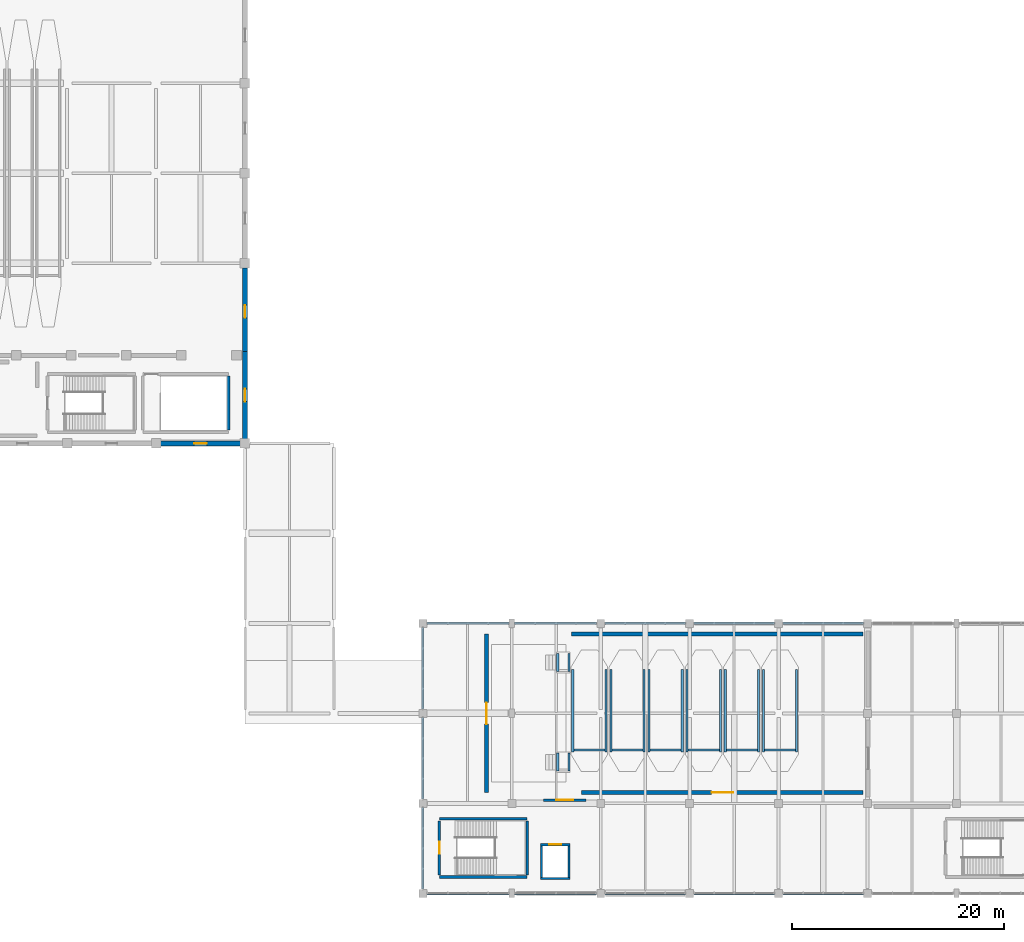
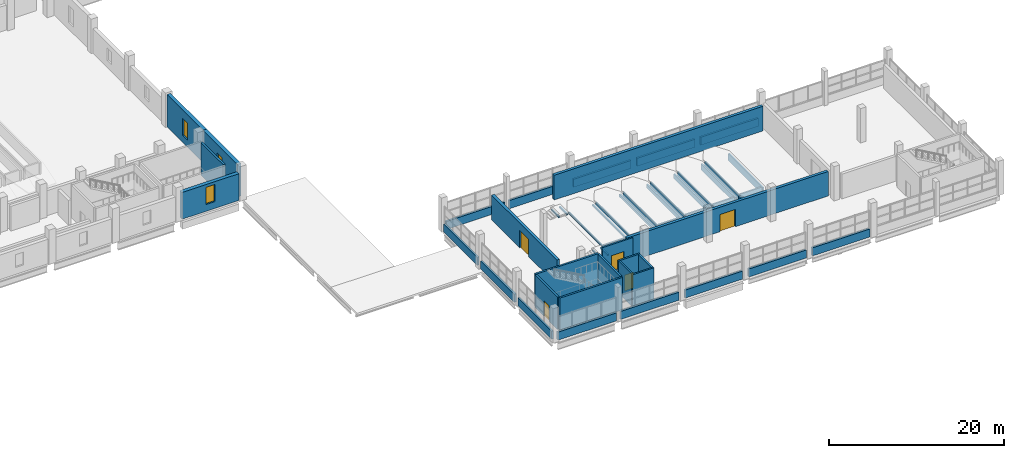
# One storey, part 101 of 117: 51 walls, 5 doors, 3 windows, 8 openings.
"""IFC4 building model written with IfcOpenShell, lengths in metres."""

from ifc_helpers import new_model, si_unit, direction, frame, frame_2d, origin, place, context, subcontext, project, spatial, rectangle, extrude, material, layer, layer_set, type_object, element, fill, save


model = new_model("IFC4")

# Units and contexts
model_context = context("Model", 3, precision=1e-05, world=origin(), true_north=direction((0.0, 1.0)))
body_context = subcontext(model_context, "Body", "Model", "MODEL_VIEW")
ifc_project = project(units=[si_unit("LENGTHUNIT", "METRE"), si_unit("AREAUNIT", "SQUARE_METRE"), si_unit("VOLUMEUNIT", "CUBIC_METRE"), si_unit("PLANEANGLEUNIT", "RADIAN"), si_unit("MASSUNIT", "GRAM", prefix="KILO")], contexts=[model_context])

# Site, building, storey
site_placement = place(None, origin())
site = spatial("IfcSite", under=ifc_project, at=site_placement, CompositionType="ELEMENT")
building_placement = place(site_placement, origin())
building = spatial("IfcBuilding", under=site, at=building_placement, Name="Solvento Point Concert Hall", CompositionType="ELEMENT")
storey_placement = place(building_placement, frame((0.0, 0.0, 5.39990234375)))
storey = spatial("IfcBuildingStorey", under=building, at=storey_placement, Name="L01", CompositionType="ELEMENT", Elevation=5.39990234375)

# Wall, opening, door
ifc_material_1 = material(Name="Acoustic Double-Stud Gypsum Partition")
ifc_layer_1 = layer(ifc_material_1, 0.2080078125)
ifc_layer_set_1 = layer_set([ifc_layer_1], Name="Acoustic Double-Stud Gypsum Partition")
wall_type_1 = type_object("IfcWallType", Name="AcousticPartition_208", PredefinedType="PARTITIONING", material=ifc_layer_set_1)
wall_1_placement = place(storey_placement, frame((165.39990234375, 8.800048828125, 0.0), z_axis=(0.0, 0.0, 1.0), x_axis=(-1.0, 0.0, 0.0)))
wall_1 = element("IfcWall", 1, at=wall_1_placement, inside=storey, type_object=wall_type_1, Name="Lift lobby partition LP-04 L01", PredefinedType="PARTITIONING", context=body_context, shape_type="SweptSolid", body=[
    extrude(rectangle(XDim=4.0, YDim=0.2080078125, at=frame_2d((2.0, 0.0))), origin(), (0.0, 0.0, 1.0), 3.736083984375),
])
opening_1_placement = place(wall_1_placement, frame((1.175048828125, 0.0, 0.0)))
opening_1 = element("IfcOpeningElement", 2, at=opening_1_placement, cuts=wall_1, Name="Opening D-FL1", PredefinedType="OPENING", context=body_context, shape_type="SweptSolid", body=[
    extrude(rectangle(XDim=1.64990234375, YDim=2.199951171875, at=frame_2d((0.824951171875, 1.10009765625))), frame((0.0, 0.114013671875, 0.0), z_axis=(0.0, -1.0, 0.0), x_axis=(1.0, 0.0, 0.0)), (0.0, 0.0, 1.0), 0.22802734375),
])
ifc_material_2 = material(Name="Hollow Metal Acoustic Fire Door")
door_type_1 = type_object("IfcDoorType", Name="FireLobbyDoor_1600", OperationType="DOUBLE_DOOR_SINGLE_SWING", PredefinedType="DOOR", material=ifc_material_2)
door_1_placement = place(opening_1_placement, origin())
door_1 = element("IfcDoor", 3, at=door_1_placement, inside=storey, type_object=door_type_1, Name="Lift lobby door LP-04 L01", OperationType="DOUBLE_DOOR_SINGLE_SWING", OverallHeight=2.199951171875, OverallWidth=1.64990234375, PredefinedType="DOOR", context=body_context, shape_type="SweptSolid", body=[
    extrude(rectangle(XDim=1.64990234375, YDim=2.199951171875, at=frame_2d((0.824951171875, 1.10009765625))), frame((0.0, 0.02490234375, 0.0), z_axis=(0.0, -1.0, 0.0), x_axis=(1.0, 0.0, 0.0)), (0.0, 0.0, 1.0), 0.050048828125),
])
fill(opening_1, door_1)

# Wall
ifc_material_3 = material(Name="Acoustic Double-Stud Gypsum Partition")
ifc_layer_2 = layer(ifc_material_3, 0.364990234375)
ifc_layer_set_2 = layer_set([ifc_layer_2], Name="Acoustic Double-Stud Gypsum Partition")
wall_type_2 = type_object("IfcWallType", Name="AcousticPartition_365", PredefinedType="PARTITIONING", material=ifc_layer_set_2)
wall_2_placement = place(storey_placement, frame((164.02001953125, 24.47998046875, 0.0), z_axis=(0.0, 0.0, 1.0), x_axis=(1.0, 0.0, 0.0)))
element("IfcWall", 4, at=wall_2_placement, inside=storey, type_object=wall_type_2, Name="Interior acoustic partition PW-43 L01", PredefinedType="PARTITIONING", context=body_context, shape_type="SweptSolid", body=[
    extrude(rectangle(XDim=27.56005859375, YDim=0.364990234375, at=frame_2d((13.780029296875, 0.0))), origin(), (0.0, 0.0, 1.0), 3.4501953125),
])

# Wall, opening, door
wall_3_placement = place(storey_placement, frame((191.580078125, 9.52001953125, 0.0), z_axis=(0.0, 0.0, 1.0), x_axis=(-1.0, 0.0, 0.0)))
wall_3 = element("IfcWall", 5, at=wall_3_placement, inside=storey, type_object=wall_type_2, Name="Interior acoustic partition PW-43 L01", PredefinedType="PARTITIONING", context=body_context, shape_type="SweptSolid", body=[
    extrude(rectangle(XDim=26.587158203125, YDim=0.364990234375, at=frame_2d((13.29345703125, 0.0))), origin(), (0.0, 0.0, 1.0), 3.424072265625),
])
opening_2_placement = place(wall_3_placement, frame((12.2734375, 0.0, 0.0)))
opening_2 = element("IfcOpeningElement", 6, at=opening_2_placement, cuts=wall_3, Name="Opening DR-97", PredefinedType="OPENING", context=body_context, shape_type="SweptSolid", body=[
    extrude(rectangle(XDim=2.0400390625, YDim=2.39990234375, at=frame_2d((1.02001953125, 1.199951171875))), frame((0.0, 0.1923828125, 0.0), z_axis=(0.0, -1.0, 0.0), x_axis=(1.0, 0.0, 0.0)), (0.0, 0.0, 1.0), 0.385009765625),
])
ifc_material_4 = material(Name="Brazilian Hardwood Acoustic Door", Category="wood")
door_type_2 = type_object("IfcDoorType", Name="IntDoor_ChamberSoundLk", OperationType="NOTDEFINED", PredefinedType="DOOR", material=ifc_material_4)
door_2_placement = place(opening_2_placement, origin())
door_2 = element("IfcDoor", 7, at=door_2_placement, inside=storey, type_object=door_type_2, Name="Interior door DR-97 L01", OperationType="SINGLE_SWING_RIGHT", OverallHeight=2.39990234375, OverallWidth=2.0400390625, PredefinedType="DOOR", context=body_context, shape_type="SweptSolid", body=[
    extrude(rectangle(XDim=2.0400390625, YDim=2.39990234375, at=frame_2d((1.02001953125, 1.199951171875))), frame((0.0, 0.02490234375, 0.0), z_axis=(0.0, -1.0, 0.0), x_axis=(1.0, 0.0, 0.0)), (0.0, 0.0, 1.0), 0.050048828125),
])
fill(opening_2, door_2)

wall_4_placement = place(storey_placement, frame((156.02001953125, 9.52001953125, 0.0), z_axis=(0.0, 0.0, 1.0), x_axis=(0.0, 1.0, 0.0)))
wall_4 = element("IfcWall", 8, at=wall_4_placement, inside=storey, type_object=wall_type_2, Name="Interior acoustic partition PW-43 L01", PredefinedType="PARTITIONING", context=body_context, shape_type="SweptSolid", body=[
    extrude(rectangle(XDim=14.9599609375, YDim=0.364990234375, at=frame_2d((7.47998046875, 0.0))), origin(), (0.0, 0.0, 1.0), 3.4501953125),
])
opening_3_placement = place(wall_4_placement, frame((6.4599609375, 0.0, 0.0)))
opening_3 = element("IfcOpeningElement", 9, at=opening_3_placement, cuts=wall_4, Name="Opening DR-97", PredefinedType="OPENING", context=body_context, shape_type="SweptSolid", body=[
    extrude(rectangle(XDim=2.0400390625, YDim=2.39990234375, at=frame_2d((1.02001953125, 1.199951171875))), frame((0.0, 0.1923828125, 0.0), z_axis=(0.0, -1.0, 0.0), x_axis=(1.0, 0.0, 0.0)), (0.0, 0.0, 1.0), 0.385009765625),
])
door_3_placement = place(opening_3_placement, origin())
door_3 = element("IfcDoor", 10, at=door_3_placement, inside=storey, type_object=door_type_2, Name="Interior door DR-97 L01", OperationType="SINGLE_SWING_LEFT", OverallHeight=2.39990234375, OverallWidth=2.0400390625, PredefinedType="DOOR", context=body_context, shape_type="SweptSolid", body=[
    extrude(rectangle(XDim=2.0400390625, YDim=2.39990234375, at=frame_2d((1.02001953125, 1.199951171875))), frame((0.0, 0.02490234375, 0.0), z_axis=(0.0, -1.0, 0.0), x_axis=(1.0, 0.0, 0.0)), (0.0, 0.0, 1.0), 0.050048828125),
])
fill(opening_3, door_3)

# Walls
ifc_material_5 = material(Name="Concrete C40/50", Category="concrete")
ifc_layer_3 = layer(ifc_material_5, 0.300048828125)
ifc_layer_set_3 = layer_set([ifc_layer_3], Name="Concrete C40/50")
wall_type_3 = type_object("IfcWallType", Name="CoreShearWall_300", PredefinedType="SHEAR", material=ifc_layer_set_3)
for number, where, z_axis, x_axis, name in (
    (11, (159.85009765625, 1.550048828125, 0.0), (0.0, 0.0, 1.0), (-1.0, 0.0, 0.0), "Stair core shear wall W-SH1 ST-08 L01"),
    (12, (151.550048828125, 7.050048828125, 0.0), (0.0, 0.0, 1.0), (1.0, 0.0, 0.0), "Stair core shear wall W-SH1 ST-08 L01"),
):
    element("IfcWall", number, at=place(storey_placement, frame(where, z_axis=z_axis, x_axis=x_axis)), inside=storey, type_object=wall_type_3, Name=name, PredefinedType="SHEAR", context=body_context, shape_type="SweptSolid", body=[
        extrude(rectangle(XDim=8.300048828125, YDim=0.25, at=frame_2d((4.14990234375, 0.0))), origin(), (0.0, 0.0, 1.0), 4.530029296875),
    ])

# Wall, opening, door
wall_5_placement = place(storey_placement, frame((151.550048828125, 1.75, 0.0), z_axis=(0.0, 0.0, 1.0), x_axis=(0.0, 1.0, 0.0)))
wall_5 = element("IfcWall", 13, at=wall_5_placement, inside=storey, type_object=wall_type_3, Name="Stair core shear wall W-SH1 ST-08 L01", PredefinedType="SHEAR", context=body_context, shape_type="SweptSolid", body=[
    extrude(rectangle(XDim=5.10009765625, YDim=0.25, at=frame_2d((2.550048828125, 0.0))), origin(), (0.0, 0.0, 1.0), 4.530029296875),
])
opening_4_placement = place(wall_5_placement, frame((1.97509765625, 0.0, 0.0)))
opening_4 = element("IfcOpeningElement", 14, at=opening_4_placement, cuts=wall_5, Name="Opening D-ST1", PredefinedType="OPENING", context=body_context, shape_type="SweptSolid", body=[
    extrude(rectangle(XDim=1.14990234375, YDim=2.179931640625, at=frame_2d((0.574951171875, 1.08984375))), frame((0.0, 0.135009765625, 0.0), z_axis=(0.0, -1.0, 0.0), x_axis=(1.0, 0.0, 0.0)), (0.0, 0.0, 1.0), 0.27001953125),
])
ifc_material_6 = material(Name="Hollow Metal Acoustic Fire Door")
door_type_3 = type_object("IfcDoorType", Name="StairFireDoor_1150", OperationType="NOTDEFINED", PredefinedType="DOOR", material=ifc_material_6)
door_4_placement = place(opening_4_placement, origin())
door_4 = element("IfcDoor", 15, at=door_4_placement, inside=storey, type_object=door_type_3, Name="Protected exit stair door ST-08 L01", OperationType="SINGLE_SWING_LEFT", OverallHeight=2.179931640625, OverallWidth=1.14990234375, PredefinedType="DOOR", context=body_context, shape_type="SweptSolid", body=[
    extrude(rectangle(XDim=1.14990234375, YDim=2.179931640625, at=frame_2d((0.574951171875, 1.08984375))), frame((0.0, 0.02490234375, 0.0), z_axis=(0.0, -1.0, 0.0), x_axis=(1.0, 0.0, 0.0)), (0.0, 0.0, 1.0), 0.050048828125),
])
fill(opening_4, door_4)

# Walls
for number, where, z_axis, x_axis, name in (
    (16, (159.85009765625, 6.85009765625, 0.0), (0.0, 0.0, 1.0), (0.0, -1.0, 0.0), "Stair core shear wall W-SH1 ST-08 L01"),
    (17, (131.64990234375, 48.85009765625, 0.0), (0.0, 0.0, 1.0), (0.0, -1.0, 0.0), "Stair core shear wall W-SH1 VOM-02 L01"),
):
    element("IfcWall", number, at=place(storey_placement, frame(where, z_axis=z_axis, x_axis=x_axis)), inside=storey, type_object=wall_type_3, Name=name, PredefinedType="SHEAR", context=body_context, shape_type="SweptSolid", body=[
        extrude(rectangle(XDim=5.10009765625, YDim=0.25, at=frame_2d((2.550048828125, 0.0))), origin(), (0.0, 0.0, 1.0), 4.530029296875),
    ])
for number, where, z_axis, x_axis, name in (
    (18, (162.739990234375, 11.544921875, 0.0), (0.0, 0.0, 1.0), (0.0, 1.0, 0.0), "Aisle landing support wall W-SH1 ST-ASL-04"),
    (19, (163.81005859375, 11.544921875, 0.0), (0.0, 0.0, 1.0), (0.0, 1.0, 0.0), "Aisle landing support wall W-SH1 ST-ASL-04"),
    (20, (162.739990234375, 20.945068359375, 0.0), (0.0, 0.0, 1.0), (0.0, 1.0, 0.0), "Aisle landing support wall W-SH1 ST-ASL-05"),
    (21, (163.81005859375, 20.945068359375, 0.0), (0.0, 0.0, 1.0), (0.0, 1.0, 0.0), "Aisle landing support wall W-SH1 ST-ASL-05"),
):
    element("IfcWall", number, at=place(storey_placement, frame(where, z_axis=z_axis, x_axis=x_axis)), inside=storey, type_object=wall_type_3, Name=name, PredefinedType="SHEAR", context=body_context, shape_type="SweptSolid", body=[
        extrude(rectangle(XDim=1.7099609375, YDim=0.199951171875, at=frame_2d((0.85498046875, 0.0))), origin(), (0.0, 0.0, 1.0), 0.22509765625),
    ])
wall_6_placement = place(storey_placement, frame((161.090087890625, 1.39990234375, 0.0), z_axis=(0.0, 0.0, 1.0), x_axis=(1.0, 0.0, 0.0)))
element("IfcWall", 22, at=wall_6_placement, inside=storey, type_object=wall_type_3, Name="Elevator shaft shear wall W-SH1 LP-04 L01", PredefinedType="SHEAR", context=body_context, shape_type="SweptSolid", body=[
    extrude(rectangle(XDim=2.81982421875, YDim=0.219970703125, at=frame_2d((1.409912109375, 0.0))), origin(), (0.0, 0.0, 1.0), 4.530029296875),
])

# Wall, opening, door
wall_7_placement = place(storey_placement, frame((161.090087890625, 4.60009765625, 0.0), z_axis=(0.0, 0.0, 1.0), x_axis=(1.0, 0.0, 0.0)))
wall_7 = element("IfcWall", 23, at=wall_7_placement, inside=storey, type_object=wall_type_3, Name="Elevator shaft shear wall W-SH1 LP-04 L01", PredefinedType="SHEAR", context=body_context, shape_type="SweptSolid", body=[
    extrude(rectangle(XDim=2.81982421875, YDim=0.219970703125, at=frame_2d((1.409912109375, 0.0))), origin(), (0.0, 0.0, 1.0), 4.530029296875),
])
opening_5_placement = place(wall_7_placement, frame((0.8349609375, 0.0, 0.0)))
opening_5 = element("IfcOpeningElement", 24, at=opening_5_placement, cuts=wall_7, Name="Opening LD-02", PredefinedType="OPENING", context=body_context, shape_type="SweptSolid", body=[
    extrude(rectangle(XDim=1.14990234375, YDim=2.199951171875, at=frame_2d((0.574951171875, 1.10009765625))), frame((0.0, 0.119873046875, 0.0), z_axis=(0.0, -1.0, 0.0), x_axis=(1.0, 0.0, 0.0)), (0.0, 0.0, 1.0), 0.239990234375),
])
ifc_material_7 = material(Name="Hollow Metal Acoustic Fire Door")
door_type_4 = type_object("IfcDoorType", Name="LiftLandingDoor_Pass", OperationType="SLIDING_TO_LEFT", PredefinedType="DOOR", material=ifc_material_7)
door_5_placement = place(opening_5_placement, origin())
door_5 = element("IfcDoor", 25, at=door_5_placement, inside=storey, type_object=door_type_4, Name="Elevator landing door LP-04 L01", OperationType="SLIDING_TO_LEFT", OverallHeight=2.199951171875, OverallWidth=1.14990234375, PredefinedType="DOOR", context=body_context, shape_type="SweptSolid", body=[
    extrude(rectangle(XDim=1.14990234375, YDim=2.199951171875, at=frame_2d((0.574951171875, 1.10009765625))), frame((0.0, 0.02490234375, 0.0), z_axis=(0.0, -1.0, 0.0), x_axis=(1.0, 0.0, 0.0)), (0.0, 0.0, 1.0), 0.050048828125),
])
fill(opening_5, door_5)

# Walls
for number, where, z_axis, x_axis, name in (
    (26, (161.199951171875, 1.510009765625, 0.0), (0.0, 0.0, 1.0), (0.0, 1.0, 0.0), "Elevator shaft shear wall W-SH1 LP-04 L01"),
    (27, (163.800048828125, 1.510009765625, 0.0), (0.0, 0.0, 1.0), (0.0, 1.0, 0.0), "Elevator shaft shear wall W-SH1 LP-04 L01"),
):
    element("IfcWall", number, at=place(storey_placement, frame(where, z_axis=z_axis, x_axis=x_axis)), inside=storey, type_object=wall_type_3, Name=name, PredefinedType="SHEAR", context=body_context, shape_type="SweptSolid", body=[
        extrude(rectangle(XDim=2.97998046875, YDim=0.219970703125, at=frame_2d((1.489990234375, 0.0))), origin(), (0.0, 0.0, 1.0), 4.530029296875),
    ])

# Wall, opening, window
ifc_material_8 = material(Name="Concrete C40/50", Category="concrete")
ifc_layer_4 = layer(ifc_material_8, 0.47998046875)
ifc_layer_set_4 = layer_set([ifc_layer_4], Name="Concrete C40/50")
wall_type_4 = type_object("IfcWallType", Name="ExtWall_V1_Drum_480", PredefinedType="SOLIDWALL", material=ifc_layer_set_4)
wall_8_placement = place(storey_placement, frame((133.199951171875, 51.159912109375, 0.0), z_axis=(0.0, 0.0, 1.0), x_axis=(0.0, -1.0, 0.0)))
wall_8 = element("IfcWall", 28, at=wall_8_placement, inside=storey, type_object=wall_type_4, Name="Exterior architectural concrete wall EW-46 L01", PredefinedType="SOLIDWALL", context=body_context, shape_type="SweptSolid", body=[
    extrude(rectangle(XDim=8.22998046875, YDim=0.47998046875, at=frame_2d((4.114990234375, 0.0))), origin(), (0.0, 0.0, 1.0), 4.530029296875),
])
opening_6_placement = place(wall_8_placement, frame((3.514892578125, 0.0, 0.949951171875)))
opening_6 = element("IfcOpeningElement", 29, at=opening_6_placement, cuts=wall_8, Name="Opening WN-95", PredefinedType="OPENING", context=body_context, shape_type="SweptSolid", body=[
    extrude(rectangle(XDim=1.199951171875, YDim=2.39990234375, at=frame_2d((0.60009765625, 1.199951171875))), frame((0.0, 0.25, 0.0), z_axis=(0.0, -1.0, 0.0), x_axis=(1.0, 0.0, 0.0)), (0.0, 0.0, 1.0), 0.5),
])
ifc_material_9 = material(Name="Hurricane Laminated Low-E Glass", Category="glass")
window_type = type_object("IfcWindowType", Name="Win_V1_DrumSlot_L01", PartitioningType="SINGLE_PANEL", PredefinedType="WINDOW", material=ifc_material_9)
window_1_placement = place(opening_6_placement, origin())
window_1 = element("IfcWindow", 30, at=window_1_placement, inside=storey, type_object=window_type, Name="Impact acoustic window WN-95", OverallHeight=2.39990234375, OverallWidth=1.199951171875, PartitioningType="SINGLE_PANEL", PredefinedType="WINDOW", context=body_context, shape_type="SweptSolid", body=[
    extrude(rectangle(XDim=1.199951171875, YDim=2.39990234375, at=frame_2d((0.60009765625, 1.199951171875))), frame((0.0, 0.030029296875, 0.0), z_axis=(0.0, -1.0, 0.0), x_axis=(1.0, 0.0, 0.0)), (0.0, 0.0, 1.0), 0.06005859375),
])
fill(opening_6, window_1)

wall_9_placement = place(storey_placement, frame((133.199951171875, 59.070068359375, 0.0), z_axis=(0.0, 0.0, 1.0), x_axis=(0.0, -1.0, 0.0)))
wall_9 = element("IfcWall", 31, at=wall_9_placement, inside=storey, type_object=wall_type_4, Name="Exterior architectural concrete wall EW-46 L01", PredefinedType="SOLIDWALL", context=body_context, shape_type="SweptSolid", body=[
    extrude(rectangle(XDim=8.22998046875, YDim=0.47998046875, at=frame_2d((4.114990234375, 0.0))), origin(), (0.0, 0.0, 1.0), 4.530029296875),
])
opening_7_placement = place(wall_9_placement, frame((3.514892578125, 0.0, 0.949951171875)))
opening_7 = element("IfcOpeningElement", 32, at=opening_7_placement, cuts=wall_9, Name="Opening WN-95", PredefinedType="OPENING", context=body_context, shape_type="SweptSolid", body=[
    extrude(rectangle(XDim=1.199951171875, YDim=2.39990234375, at=frame_2d((0.60009765625, 1.199951171875))), frame((0.0, 0.25, 0.0), z_axis=(0.0, -1.0, 0.0), x_axis=(1.0, 0.0, 0.0)), (0.0, 0.0, 1.0), 0.5),
])
window_2_placement = place(opening_7_placement, origin())
window_2 = element("IfcWindow", 33, at=window_2_placement, inside=storey, type_object=window_type, Name="Impact acoustic window WN-95", OverallHeight=2.39990234375, OverallWidth=1.199951171875, PartitioningType="SINGLE_PANEL", PredefinedType="WINDOW", context=body_context, shape_type="SweptSolid", body=[
    extrude(rectangle(XDim=1.199951171875, YDim=2.39990234375, at=frame_2d((0.60009765625, 1.199951171875))), frame((0.0, 0.030029296875, 0.0), z_axis=(0.0, -1.0, 0.0), x_axis=(1.0, 0.0, 0.0)), (0.0, 0.0, 1.0), 0.06005859375),
])
fill(opening_7, window_2)

wall_10_placement = place(storey_placement, frame((132.77001953125, 42.5, 0.0), z_axis=(0.0, 0.0, 1.0), x_axis=(-1.0, 0.0, 0.0)))
wall_10 = element("IfcWall", 34, at=wall_10_placement, inside=storey, type_object=wall_type_4, Name="Exterior architectural concrete wall EW-46 L01", PredefinedType="SOLIDWALL", context=body_context, shape_type="SweptSolid", body=[
    extrude(rectangle(XDim=7.5400390625, YDim=0.47998046875, at=frame_2d((3.77001953125, 0.0))), origin(), (0.0, 0.0, 1.0), 3.736083984375),
])
opening_8_placement = place(wall_10_placement, frame((3.169921875, 0.0, 0.949951171875)))
opening_8 = element("IfcOpeningElement", 35, at=opening_8_placement, cuts=wall_10, Name="Opening WN-95", PredefinedType="OPENING", context=body_context, shape_type="SweptSolid", body=[
    extrude(rectangle(XDim=1.199951171875, YDim=2.39990234375, at=frame_2d((0.60009765625, 1.199951171875))), frame((0.0, 0.25, 0.0), z_axis=(0.0, -1.0, 0.0), x_axis=(1.0, 0.0, 0.0)), (0.0, 0.0, 1.0), 0.5),
])
window_3_placement = place(opening_8_placement, origin())
window_3 = element("IfcWindow", 36, at=window_3_placement, inside=storey, type_object=window_type, Name="Impact acoustic window WN-95", OverallHeight=2.39990234375, OverallWidth=1.199951171875, PartitioningType="SINGLE_PANEL", PredefinedType="WINDOW", context=body_context, shape_type="SweptSolid", body=[
    extrude(rectangle(XDim=1.199951171875, YDim=2.39990234375, at=frame_2d((0.60009765625, 1.199951171875))), frame((0.0, 0.030029296875, 0.0), z_axis=(0.0, -1.0, 0.0), x_axis=(1.0, 0.0, 0.0)), (0.0, 0.0, 1.0), 0.06005859375),
])
fill(opening_8, window_3)

# Walls
ifc_material_10 = material(Name="Concrete C40/50", Category="concrete")
ifc_layer_5 = layer(ifc_material_10, 0.260009765625)
ifc_layer_set_5 = layer_set([ifc_layer_5], Name="Concrete C40/50")
wall_type_5 = type_object("IfcWallType", Name="Parapet_Ring_260", PredefinedType="PARAPET", material=ifc_layer_set_5)
for number, where, z_axis, x_axis, name in (
    (37, (150.0, 0.39501953125, 0.0), (0.0, 0.0, 1.0), (0.0, 1.0, 0.0), "Sliding elliptical white concrete ring spandrel PR-01 L01"),
    (38, (150.0, 8.89501953125, 0.0), (0.0, 0.0, 1.0), (0.0, 1.0, 0.0), "Sliding elliptical white concrete ring spandrel PR-01 L01"),
    (39, (150.0, 17.39501953125, 0.0), (0.0, 0.0, 1.0), (0.0, 1.0, 0.0), "Sliding elliptical white concrete ring spandrel PR-01 L01"),
):
    element("IfcWall", number, at=place(storey_placement, frame(where, z_axis=z_axis, x_axis=x_axis)), inside=storey, type_object=wall_type_5, Name=name, PredefinedType="PARAPET", context=body_context, shape_type="SweptSolid", body=[
        extrude(rectangle(XDim=7.7099609375, YDim=0.260009765625, at=frame_2d((3.85498046875, 0.0))), origin(), (0.0, 0.0, 1.0), 1.1201171875),
    ])
wall_11_placement = place(storey_placement, frame((150.39501953125, 25.5, 0.0), z_axis=(0.0, 0.0, 1.0), x_axis=(1.0, 0.0, 0.0)))
element("IfcWall", 40, at=wall_11_placement, inside=storey, type_object=wall_type_5, Name="Sliding elliptical white concrete ring spandrel PR-01 L01", PredefinedType="PARAPET", context=body_context, shape_type="SweptSolid", body=[
    extrude(rectangle(XDim=7.73486328125, YDim=0.260009765625, at=frame_2d((3.867431640625, 0.0))), origin(), (0.0, 0.0, 1.0), 1.1201171875),
])
wall_12_placement = place(storey_placement, frame((158.669921875, 25.5, 0.0), z_axis=(0.0, 0.0, 1.0), x_axis=(1.0, 0.0, 0.0)))
element("IfcWall", 41, at=wall_12_placement, inside=storey, type_object=wall_type_5, Name="Sliding elliptical white concrete ring spandrel PR-01 L01", PredefinedType="PARAPET", context=body_context, shape_type="SweptSolid", body=[
    extrude(rectangle(XDim=7.735107421875, YDim=0.260009765625, at=frame_2d((3.86767578125, 0.0))), origin(), (0.0, 0.0, 1.0), 1.1201171875),
])
wall_13_placement = place(storey_placement, frame((167.195068359375, 25.5, 0.0), z_axis=(0.0, 0.0, 1.0), x_axis=(1.0, 0.0, 0.0)))
element("IfcWall", 42, at=wall_13_placement, inside=storey, type_object=wall_type_5, Name="Sliding elliptical white concrete ring spandrel PR-01 L01", PredefinedType="PARAPET", context=body_context, shape_type="SweptSolid", body=[
    extrude(rectangle(XDim=7.60986328125, YDim=0.260009765625, at=frame_2d((3.804931640625, 0.0))), origin(), (0.0, 0.0, 1.0), 1.1201171875),
])
wall_14_placement = place(storey_placement, frame((175.594970703125, 25.5, 0.0), z_axis=(0.0, 0.0, 1.0), x_axis=(1.0, 0.0, 0.0)))
element("IfcWall", 43, at=wall_14_placement, inside=storey, type_object=wall_type_5, Name="Sliding elliptical white concrete ring spandrel PR-01 L01", PredefinedType="PARAPET", context=body_context, shape_type="SweptSolid", body=[
    extrude(rectangle(XDim=7.610107421875, YDim=0.260009765625, at=frame_2d((3.80517578125, 0.0))), origin(), (0.0, 0.0, 1.0), 1.1201171875),
])
wall_15_placement = place(storey_placement, frame((183.9951171875, 25.5, 0.0), z_axis=(0.0, 0.0, 1.0), x_axis=(1.0, 0.0, 0.0)))
element("IfcWall", 44, at=wall_15_placement, inside=storey, type_object=wall_type_5, Name="Sliding elliptical white concrete ring spandrel PR-01 L01", PredefinedType="PARAPET", context=body_context, shape_type="SweptSolid", body=[
    extrude(rectangle(XDim=7.60986328125, YDim=0.260009765625, at=frame_2d((3.804931640625, 0.0))), origin(), (0.0, 0.0, 1.0), 1.1201171875),
])
wall_16_placement = place(storey_placement, frame((158.1298828125, 0.0, 0.0), z_axis=(0.0, 0.0, 1.0), x_axis=(-1.0, 0.0, 0.0)))
element("IfcWall", 45, at=wall_16_placement, inside=storey, type_object=wall_type_5, Name="Sliding elliptical white concrete ring spandrel PR-01 L01", PredefinedType="PARAPET", context=body_context, shape_type="SweptSolid", body=[
    extrude(rectangle(XDim=7.73486328125, YDim=0.260009765625, at=frame_2d((3.867431640625, 0.0))), origin(), (0.0, 0.0, 1.0), 1.1201171875),
])
wall_17_placement = place(storey_placement, frame((166.405029296875, 0.0, 0.0), z_axis=(0.0, 0.0, 1.0), x_axis=(-1.0, 0.0, 0.0)))
element("IfcWall", 46, at=wall_17_placement, inside=storey, type_object=wall_type_5, Name="Sliding elliptical white concrete ring spandrel PR-01 L01", PredefinedType="PARAPET", context=body_context, shape_type="SweptSolid", body=[
    extrude(rectangle(XDim=7.735107421875, YDim=0.260009765625, at=frame_2d((3.86767578125, 0.0))), origin(), (0.0, 0.0, 1.0), 1.1201171875),
])
wall_18_placement = place(storey_placement, frame((174.804931640625, 0.0, 0.0), z_axis=(0.0, 0.0, 1.0), x_axis=(-1.0, 0.0, 0.0)))
element("IfcWall", 47, at=wall_18_placement, inside=storey, type_object=wall_type_5, Name="Sliding elliptical white concrete ring spandrel PR-01 L01", PredefinedType="PARAPET", context=body_context, shape_type="SweptSolid", body=[
    extrude(rectangle(XDim=7.60986328125, YDim=0.260009765625, at=frame_2d((3.804931640625, 0.0))), origin(), (0.0, 0.0, 1.0), 1.1201171875),
])
wall_19_placement = place(storey_placement, frame((183.205078125, 0.0, 0.0), z_axis=(0.0, 0.0, 1.0), x_axis=(-1.0, 0.0, 0.0)))
element("IfcWall", 48, at=wall_19_placement, inside=storey, type_object=wall_type_5, Name="Sliding elliptical white concrete ring spandrel PR-01 L01", PredefinedType="PARAPET", context=body_context, shape_type="SweptSolid", body=[
    extrude(rectangle(XDim=7.610107421875, YDim=0.260009765625, at=frame_2d((3.80517578125, 0.0))), origin(), (0.0, 0.0, 1.0), 1.1201171875),
])
wall_20_placement = place(storey_placement, frame((191.60498046875, 0.0, 0.0), z_axis=(0.0, 0.0, 1.0), x_axis=(-1.0, 0.0, 0.0)))
element("IfcWall", 49, at=wall_20_placement, inside=storey, type_object=wall_type_5, Name="Sliding elliptical white concrete ring spandrel PR-01 L01", PredefinedType="PARAPET", context=body_context, shape_type="SweptSolid", body=[
    extrude(rectangle(XDim=7.60986328125, YDim=0.260009765625, at=frame_2d((3.804931640625, 0.0))), origin(), (0.0, 0.0, 1.0), 1.1201171875),
])
ifc_material_11 = material(Name="Concrete C35/45", Category="concrete")
ifc_layer_6 = layer(ifc_material_11, 0.25)
ifc_layer_set_6 = layer_set([ifc_layer_6], Name="Concrete C35/45")
wall_type_6 = type_object("IfcWallType", Name="TierSupportWall_250", PredefinedType="SHEAR", material=ifc_layer_set_6)
for number, where, z_axis, x_axis, name in (
    (50, (164.159912109375, 13.340087890625, 0.0), (0.0, 0.0, 1.0), (0.0, 1.0, 0.0), "Seating tier riser support wall W-TR1 TIER-L01-CHM-01"),
    (51, (167.2900390625, 13.340087890625, 0.0), (0.0, 0.0, 1.0), (0.0, 1.0, 0.0), "Seating tier rear support wall W-TR1 TIER-L01-CHM-01"),
):
    element("IfcWall", number, at=place(storey_placement, frame(where, z_axis=z_axis, x_axis=x_axis)), inside=storey, type_object=wall_type_6, Name=name, PredefinedType="SHEAR", context=body_context, shape_type="SweptSolid", body=[
        extrude(rectangle(XDim=7.81982421875, YDim=0.199951171875, at=frame_2d((3.909912109375, 0.0))), origin(), (0.0, 0.0, 1.0), 0.190185546875),
    ])
wall_21_placement = place(storey_placement, frame((164.260009765625, 13.5400390625, 0.0), z_axis=(0.0, 0.0, 1.0), x_axis=(1.0, 0.0, 0.0)))
element("IfcWall", 52, at=wall_21_placement, inside=storey, type_object=wall_type_6, Name="Seating tier spine support wall W-TR1 TIER-L01-CHM-01", PredefinedType="SHEAR", context=body_context, shape_type="SweptSolid", body=[
    extrude(rectangle(XDim=2.929931640625, YDim=0.199951171875, at=frame_2d((1.46484375, 0.0))), origin(), (0.0, 0.0, 1.0), 0.190185546875),
])
for number, where, z_axis, x_axis, name in (
    (53, (167.760009765625, 13.340087890625, 0.0), (0.0, 0.0, 1.0), (0.0, 1.0, 0.0), "Seating tier riser support wall W-TR1 TIER-L01-CHM-02"),
    (54, (170.889892578125, 13.340087890625, 0.0), (0.0, 0.0, 1.0), (0.0, 1.0, 0.0), "Seating tier rear support wall W-TR1 TIER-L01-CHM-02"),
):
    element("IfcWall", number, at=place(storey_placement, frame(where, z_axis=z_axis, x_axis=x_axis)), inside=storey, type_object=wall_type_6, Name=name, PredefinedType="SHEAR", context=body_context, shape_type="SweptSolid", body=[
        extrude(rectangle(XDim=7.81982421875, YDim=0.199951171875, at=frame_2d((3.909912109375, 0.0))), origin(), (0.0, 0.0, 1.0), 0.35009765625),
    ])
wall_22_placement = place(storey_placement, frame((167.860107421875, 13.5400390625, 0.0), z_axis=(0.0, 0.0, 1.0), x_axis=(1.0, 0.0, 0.0)))
element("IfcWall", 55, at=wall_22_placement, inside=storey, type_object=wall_type_6, Name="Seating tier spine support wall W-TR1 TIER-L01-CHM-02", PredefinedType="SHEAR", context=body_context, shape_type="SweptSolid", body=[
    extrude(rectangle(XDim=2.929931640625, YDim=0.199951171875, at=frame_2d((1.46484375, 0.0))), origin(), (0.0, 0.0, 1.0), 0.35009765625),
])
for number, where, z_axis, x_axis, name in (
    (56, (171.360107421875, 13.340087890625, 0.0), (0.0, 0.0, 1.0), (0.0, 1.0, 0.0), "Seating tier riser support wall W-TR1 TIER-L01-CHM-03"),
    (57, (174.489990234375, 13.340087890625, 0.0), (0.0, 0.0, 1.0), (0.0, 1.0, 0.0), "Seating tier rear support wall W-TR1 TIER-L01-CHM-03"),
):
    element("IfcWall", number, at=place(storey_placement, frame(where, z_axis=z_axis, x_axis=x_axis)), inside=storey, type_object=wall_type_6, Name=name, PredefinedType="SHEAR", context=body_context, shape_type="SweptSolid", body=[
        extrude(rectangle(XDim=7.81982421875, YDim=0.199951171875, at=frame_2d((3.909912109375, 0.0))), origin(), (0.0, 0.0, 1.0), 0.510009765625),
    ])
wall_23_placement = place(storey_placement, frame((171.4599609375, 13.5400390625, 0.0), z_axis=(0.0, 0.0, 1.0), x_axis=(1.0, 0.0, 0.0)))
element("IfcWall", 58, at=wall_23_placement, inside=storey, type_object=wall_type_6, Name="Seating tier spine support wall W-TR1 TIER-L01-CHM-03", PredefinedType="SHEAR", context=body_context, shape_type="SweptSolid", body=[
    extrude(rectangle(XDim=2.929931640625, YDim=0.199951171875, at=frame_2d((1.46484375, 0.0))), origin(), (0.0, 0.0, 1.0), 0.510009765625),
])
for number, where, z_axis, x_axis, name in (
    (59, (174.9599609375, 13.340087890625, 0.0), (0.0, 0.0, 1.0), (0.0, 1.0, 0.0), "Seating tier riser support wall W-TR1 TIER-L01-CHM-04"),
    (60, (178.090087890625, 13.340087890625, 0.0), (0.0, 0.0, 1.0), (0.0, 1.0, 0.0), "Seating tier rear support wall W-TR1 TIER-L01-CHM-04"),
):
    element("IfcWall", number, at=place(storey_placement, frame(where, z_axis=z_axis, x_axis=x_axis)), inside=storey, type_object=wall_type_6, Name=name, PredefinedType="SHEAR", context=body_context, shape_type="SweptSolid", body=[
        extrude(rectangle(XDim=7.81982421875, YDim=0.199951171875, at=frame_2d((3.909912109375, 0.0))), origin(), (0.0, 0.0, 1.0), 0.670166015625),
    ])
wall_24_placement = place(storey_placement, frame((175.06005859375, 13.5400390625, 0.0), z_axis=(0.0, 0.0, 1.0), x_axis=(1.0, 0.0, 0.0)))
element("IfcWall", 61, at=wall_24_placement, inside=storey, type_object=wall_type_6, Name="Seating tier spine support wall W-TR1 TIER-L01-CHM-04", PredefinedType="SHEAR", context=body_context, shape_type="SweptSolid", body=[
    extrude(rectangle(XDim=2.929931640625, YDim=0.199951171875, at=frame_2d((1.46484375, 0.0))), origin(), (0.0, 0.0, 1.0), 0.670166015625),
])
for number, where, z_axis, x_axis, name in (
    (62, (178.56005859375, 13.340087890625, 0.0), (0.0, 0.0, 1.0), (0.0, 1.0, 0.0), "Seating tier riser support wall W-TR1 TIER-L01-CHM-05"),
    (63, (181.68994140625, 13.340087890625, 0.0), (0.0, 0.0, 1.0), (0.0, 1.0, 0.0), "Seating tier rear support wall W-TR1 TIER-L01-CHM-05"),
):
    element("IfcWall", number, at=place(storey_placement, frame(where, z_axis=z_axis, x_axis=x_axis)), inside=storey, type_object=wall_type_6, Name=name, PredefinedType="SHEAR", context=body_context, shape_type="SweptSolid", body=[
        extrude(rectangle(XDim=7.81982421875, YDim=0.199951171875, at=frame_2d((3.909912109375, 0.0))), origin(), (0.0, 0.0, 1.0), 0.830078125),
    ])
wall_25_placement = place(storey_placement, frame((178.659912109375, 13.5400390625, 0.0), z_axis=(0.0, 0.0, 1.0), x_axis=(1.0, 0.0, 0.0)))
element("IfcWall", 64, at=wall_25_placement, inside=storey, type_object=wall_type_6, Name="Seating tier spine support wall W-TR1 TIER-L01-CHM-05", PredefinedType="SHEAR", context=body_context, shape_type="SweptSolid", body=[
    extrude(rectangle(XDim=2.93017578125, YDim=0.199951171875, at=frame_2d((1.465087890625, 0.0))), origin(), (0.0, 0.0, 1.0), 0.830078125),
])
for number, where, z_axis, x_axis, name in (
    (65, (182.159912109375, 13.340087890625, 0.0), (0.0, 0.0, 1.0), (0.0, 1.0, 0.0), "Seating tier riser support wall W-TR1 TIER-L01-CHM-06"),
    (66, (185.2900390625, 13.340087890625, 0.0), (0.0, 0.0, 1.0), (0.0, 1.0, 0.0), "Seating tier rear support wall W-TR1 TIER-L01-CHM-06"),
):
    element("IfcWall", number, at=place(storey_placement, frame(where, z_axis=z_axis, x_axis=x_axis)), inside=storey, type_object=wall_type_6, Name=name, PredefinedType="SHEAR", context=body_context, shape_type="SweptSolid", body=[
        extrude(rectangle(XDim=7.81982421875, YDim=0.199951171875, at=frame_2d((3.909912109375, 0.0))), origin(), (0.0, 0.0, 1.0), 0.989990234375),
    ])
wall_26_placement = place(storey_placement, frame((182.260009765625, 13.5400390625, 0.0), z_axis=(0.0, 0.0, 1.0), x_axis=(1.0, 0.0, 0.0)))
element("IfcWall", 67, at=wall_26_placement, inside=storey, type_object=wall_type_6, Name="Seating tier spine support wall W-TR1 TIER-L01-CHM-06", PredefinedType="SHEAR", context=body_context, shape_type="SweptSolid", body=[
    extrude(rectangle(XDim=2.929931640625, YDim=0.199951171875, at=frame_2d((1.46484375, 0.0))), origin(), (0.0, 0.0, 1.0), 0.989990234375),
])

save(model, "model.ifc")
